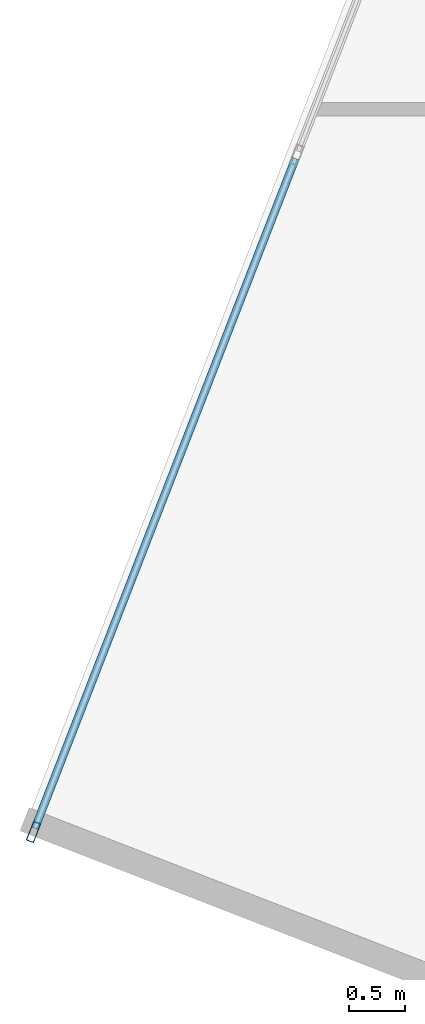
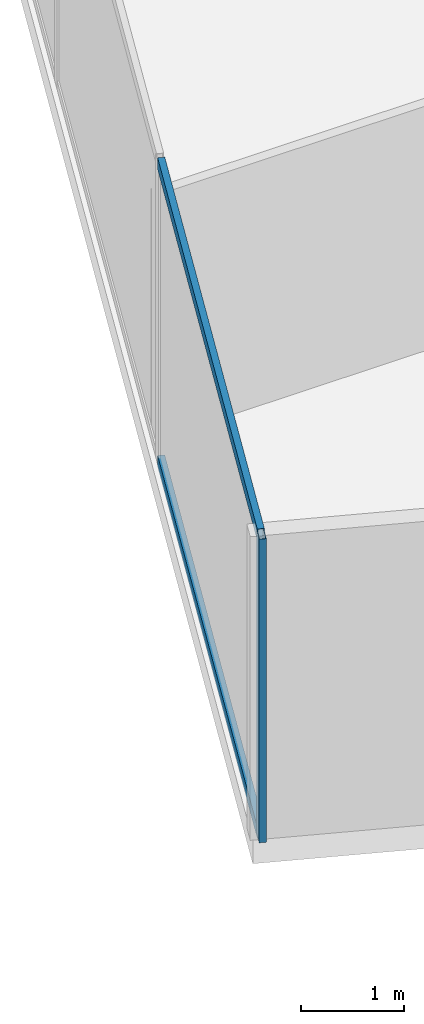
# One storey, part 5 of 26: 3 members, 1 element without a shape of its own.
"""IFC4 building model written with IfcOpenShell, lengths in metres."""

from ifc_helpers import new_model, si_unit, direction, frame, origin, origin_2d, place, context, subcontext, project, spatial, hollow_rectangle, extrude, source, transform, mapped, material, material_profile, profile_set, type_object, type_shapes, element, aggregate, save


model = new_model("IFC4")

# Units and contexts
model_context = context("Model", 3, precision=1e-05, world=origin(), true_north=direction((0.0, 1.0)))
body_context = subcontext(model_context, "Body", "Model", "MODEL_VIEW")
ifc_project = project(units=[si_unit("LENGTHUNIT", "METRE"), si_unit("AREAUNIT", "SQUARE_METRE"), si_unit("VOLUMEUNIT", "CUBIC_METRE"), si_unit("PLANEANGLEUNIT", "RADIAN"), si_unit("MASSUNIT", "GRAM", prefix="KILO")], contexts=[model_context])

# Site, building, storey
site_placement = place(None, origin())
site = spatial("IfcSite", under=ifc_project, at=site_placement, CompositionType="ELEMENT")
building_placement = place(site_placement, origin())
building = spatial("IfcBuilding", under=site, at=building_placement, Name="Krantzveldt Concourse Tower", CompositionType="ELEMENT")
storey_placement = place(building_placement, frame((0.0, 0.0, 137.449951171875)))
storey = spatial("IfcBuildingStorey", under=building, at=storey_placement, Name="L33", CompositionType="ELEMENT", Elevation=137.449951171875)

# Curtain wall, members
ifc_material = material(Name="Anodised aluminium 6063-T6", Category="aluminium")
curtain_wall_type = type_object("IfcCurtainWallType", Name="CW2", PredefinedType="USERDEFINED", material=ifc_material)
curtain_wall_placement = place(storey_placement, origin())
curtain_wall = element("IfcCurtainWall", 1, at=curtain_wall_placement, inside=storey, type_object=curtain_wall_type, Name="CW-L33-F01", ObjectType="UNITISED CURTAIN WALL", PredefinedType="USERDEFINED")
ifc_material_profile_1 = material_profile(ifc_material, hollow_rectangle(XDim=0.070068359375, YDim=0.139892578125, WallThickness=0.0048828125, at=origin_2d()), Name="Anodised aluminium 6063-T6", Category="aluminium")
ifc_profile_set_1 = profile_set([ifc_material_profile_1], Name="Anodised aluminium 6063-T6 - ALU-TRAN 140x70x5")
member_type_1 = type_object("IfcMemberType", Name="CW-TRN-150", PredefinedType="USERDEFINED", material=ifc_profile_set_1)
shared_shape_1 = source(origin(), body_context, "Body", "SweptSolid", [
    extrude(hollow_rectangle(XDim=0.070068359375, YDim=0.139892578125, WallThickness=0.0048828125, at=origin_2d()), origin(), (0.0, 0.0, 1.0), 6.361572265625),
])
type_shapes(member_type_1, [shared_shape_1])
member_1_placement = place(storey_placement, frame((9.57470703125, 23.061767578125, 0.03515625), z_axis=(-0.362440705101, -0.93200683221, 0.0), x_axis=(0.93200683221, -0.362440705101, 0.0)))
member_1 = element("IfcMember", 2, at=member_1_placement, type_object=member_type_1, Name="CW-Z12 transom 6.1", ObjectType="TRANSOM", PredefinedType="USERDEFINED", context=body_context, shape_type="MappedRepresentation", body=[
    mapped(shared_shape_1, transform((0.0, 0.0, 0.0), x_axis=(1.0, 0.0, 0.0), y_axis=(0.0, 1.0, 0.0), z_axis=(0.0, 0.0, 1.0), scale=1.0)),
])
member_2_placement = place(storey_placement, frame((9.57470703125, 23.061767578125, 3.56494140625), z_axis=(-0.362440705101, -0.93200683221, 0.0), x_axis=(0.93200683221, -0.362440705101, 0.0)))
member_2 = element("IfcMember", 3, at=member_2_placement, type_object=member_type_1, Name="CW-Z12 transom 6.2", ObjectType="TRANSOM", PredefinedType="USERDEFINED", context=body_context, shape_type="MappedRepresentation", body=[
    mapped(shared_shape_1, transform((0.0, 0.0, 0.0), x_axis=(1.0, 0.0, 0.0), y_axis=(0.0, 1.0, 0.0), z_axis=(0.0, 0.0, 1.0), scale=1.0)),
])
ifc_material_profile_2 = material_profile(ifc_material, hollow_rectangle(XDim=0.070068359375, YDim=0.179931640625, WallThickness=0.0048828125, at=origin_2d()), Name="Anodised aluminium 6063-T6", Category="aluminium")
ifc_profile_set_2 = profile_set([ifc_material_profile_2], Name="Anodised aluminium 6063-T6 - ALU-MULL 180x70x5")
member_type_2 = type_object("IfcMemberType", Name="CW-MUL-180", PredefinedType="MULLION", material=ifc_profile_set_2)
shared_shape_2 = source(origin(), body_context, "Body", "SweptSolid", [
    extrude(hollow_rectangle(XDim=0.070068359375, YDim=0.179931640625, WallThickness=0.0048828125, at=origin_2d()), origin(), (0.0, 0.0, 1.0), 3.60009765625),
])
type_shapes(member_type_2, [shared_shape_2])
member_3_placement = place(storey_placement, frame((7.25634765625, 17.10009765625, 0.0), z_axis=(0.0, 0.0, 1.0), x_axis=(0.93200790248, -0.362437952917, 0.0)))
member_3 = element("IfcMember", 4, at=member_3_placement, type_object=member_type_2, Name="CW-Z12 mullion 7", PredefinedType="MULLION", context=body_context, shape_type="MappedRepresentation", body=[
    mapped(shared_shape_2, transform((0.0, 0.0, 0.0), x_axis=(1.0, 0.0, 0.0), y_axis=(0.0, 1.0, 0.0), z_axis=(0.0, 0.0, 1.0), scale=1.0)),
])
aggregate(curtain_wall, [member_3, member_1, member_2])

save(model, "model.ifc")
